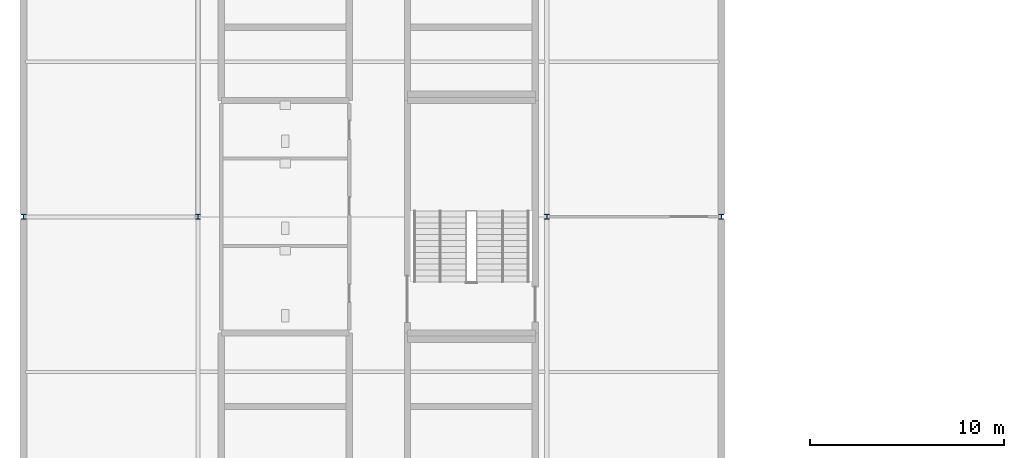
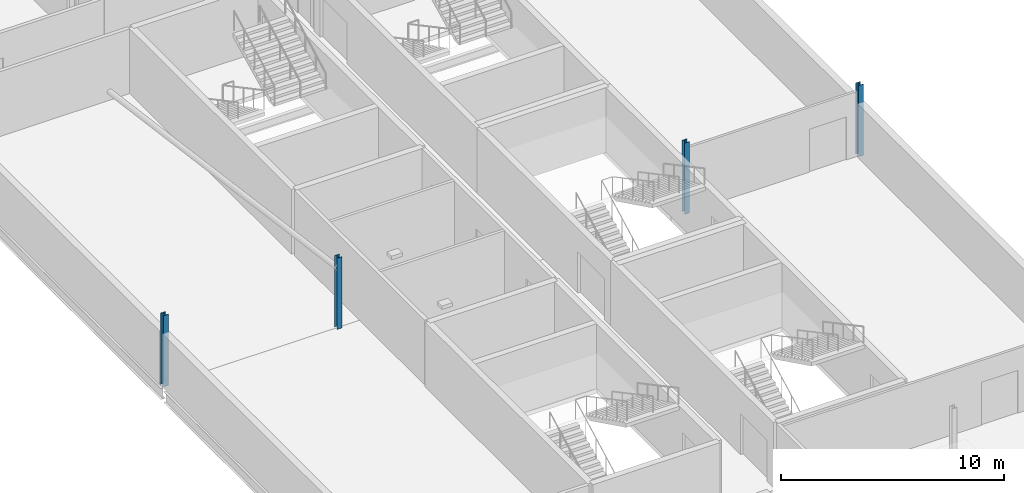
# One storey, part 3 of 30: 4 columns.
"""IFC4 building model written with IfcOpenShell, lengths in metres."""

from ifc_helpers import new_model, si_unit, direction, frame, origin, origin_2d, place, context, subcontext, project, spatial, i_section, extrude, material, material_profile, profile_set, type_object, element, save


model = new_model("IFC4")

# Units and contexts
model_context = context("Model", 3, precision=1e-05, world=origin(), true_north=direction((0.0, 1.0)))
body_context = subcontext(model_context, "Body", "Model", "MODEL_VIEW")
ifc_project = project(units=[si_unit("LENGTHUNIT", "METRE"), si_unit("AREAUNIT", "SQUARE_METRE"), si_unit("VOLUMEUNIT", "CUBIC_METRE"), si_unit("PLANEANGLEUNIT", "RADIAN"), si_unit("MASSUNIT", "GRAM", prefix="KILO")], contexts=[model_context])

# Site, building, storey
site_placement = place(None, origin())
site = spatial("IfcSite", under=ifc_project, at=site_placement, CompositionType="ELEMENT")
building_placement = place(site_placement, origin())
building = spatial("IfcBuilding", under=site, at=building_placement, Name="Kisiwana Market Hall", CompositionType="ELEMENT")
storey_placement = place(building_placement, frame((0.0, 0.0, 54.0)))
storey = spatial("IfcBuildingStorey", under=building, at=storey_placement, Name="L12", CompositionType="ELEMENT", Elevation=54.0)

# Columns
ifc_material = material(Name="Steel S355", Category="steel")
ifc_material_profile = material_profile(ifc_material, i_section(OverallWidth=0.25634765625, OverallDepth=0.26025390625, WebThickness=0.01025390625, FlangeThickness=0.017333984375, FilletRadius=0.0126953125, at=origin_2d()), Name="UC 254x254x89")
ifc_profile_set = profile_set([ifc_material_profile], Name="Steel S355")
column_type = type_object("IfcColumnType", Name="COL-STL-UC089", PredefinedType="COLUMN", material=ifc_profile_set)
for number, where, z_axis, x_axis, name in (
    (1, (0.0, 60.0, 0.0), (0.0, 0.0, 1.0), (1.0, 0.0, 0.0), "Column H/1 (L12) C-1364"),
    (2, (27.0, 60.0, 0.0), (0.0, 0.0, 1.0), (1.0, 0.0, 0.0), "Column H/4 (L12) C-1373"),
    (3, (9.0, 60.0, 0.0), (0.0, 0.0, 1.0), (1.0, 0.0, 0.0), "Column H/2 (L12) C-1358"),
    (4, (36.0, 60.0, 0.0), (0.0, 0.0, 1.0), (1.0, 0.0, 0.0), "Column H/5 (L12) C-1359"),
):
    element("IfcColumn", number, at=place(storey_placement, frame(where, z_axis=z_axis, x_axis=x_axis)), inside=storey, type_object=column_type, Name=name, PredefinedType="COLUMN", context=body_context, shape_type="SweptSolid", body=[
        extrude(i_section(OverallWidth=0.25634765625, OverallDepth=0.26025390625, WebThickness=0.01025390625, FlangeThickness=0.017333984375, FilletRadius=0.0126953125, at=origin_2d()), origin(), (0.0, 0.0, 1.0), 3.89990234375),
    ])

save(model, "model.ifc")
